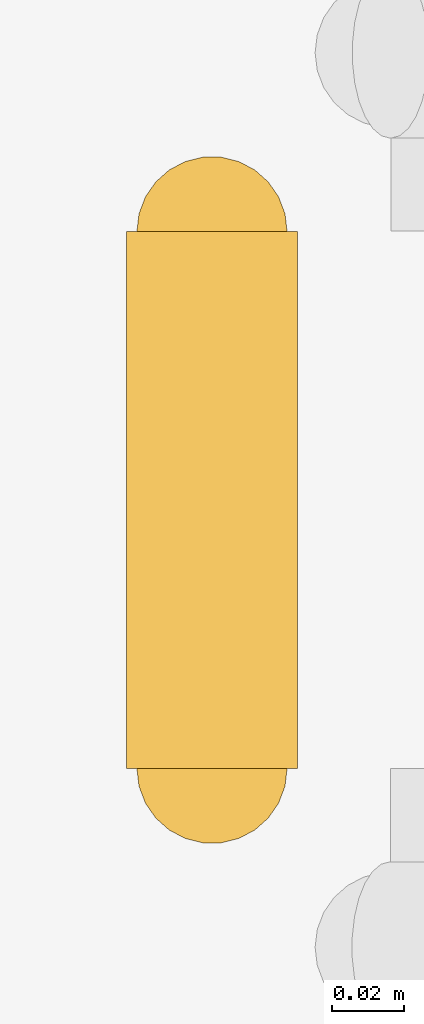
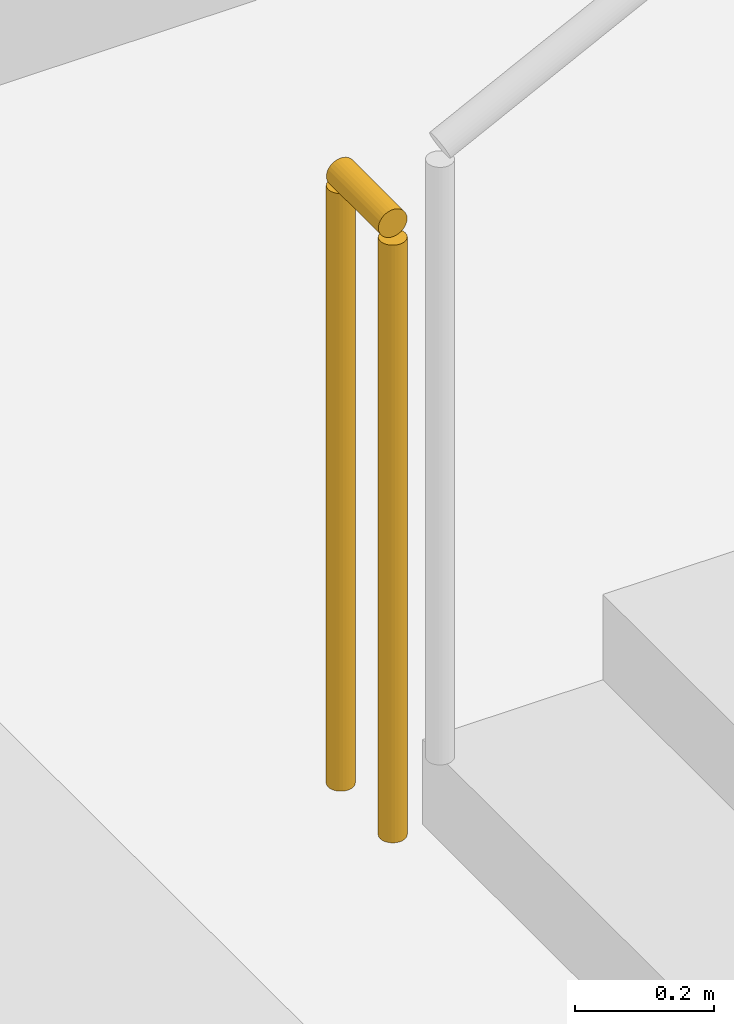
# One storey, part 46 of 54: 1 railing.
"""IFC4 building model written with IfcOpenShell, lengths in metres."""

from ifc_helpers import new_model, si_unit, direction, frame, origin, origin_2d, place, context, subcontext, project, spatial, circle, extrude, material, type_object, element, save


model = new_model("IFC4")

# Units and contexts
model_context = context("Model", 3, precision=1e-05, world=origin(), true_north=direction((0.0, 1.0)))
body_context = subcontext(model_context, "Body", "Model", "MODEL_VIEW")
ifc_project = project(units=[si_unit("LENGTHUNIT", "METRE"), si_unit("AREAUNIT", "SQUARE_METRE"), si_unit("VOLUMEUNIT", "CUBIC_METRE"), si_unit("PLANEANGLEUNIT", "RADIAN"), si_unit("MASSUNIT", "GRAM", prefix="KILO")], contexts=[model_context])

# Site, building, storey
site_placement = place(None, origin())
site = spatial("IfcSite", under=ifc_project, at=site_placement, CompositionType="ELEMENT")
building_placement = place(site_placement, origin())
building = spatial("IfcBuilding", under=site, at=building_placement, Name="Zevrakil Square Congress Hotel", CompositionType="ELEMENT")
storey_placement = place(building_placement, frame((0.0, 0.0, -8.39990234375)))
storey = spatial("IfcBuildingStorey", under=building, at=storey_placement, Name="B2", CompositionType="ELEMENT", Elevation=-8.39990234375)

# Railing
ifc_material = material(Name="Steel S355", Category="steel")
railing_type = type_object("IfcRailingType", Name="RLG-STAIR-GUARD-1100", PredefinedType="BALUSTRADE", material=ifc_material)
railing_placement = place(storey_placement, frame((57.35009765625, 41.0, 0.0)))
element("IfcRailing", 1, at=railing_placement, inside=storey, type_object=railing_type, Name="B2 ST04 stair guard 4", PredefinedType="BALUSTRADE", context=body_context, shape_type="SweptSolid", body=[
    extrude(circle(Radius=0.02392578125, at=origin_2d()), frame((0.0, 0.0, 1.076171875), z_axis=(0.0, 1.0, 0.0), x_axis=(-1.0, 0.0, 0.0)), (0.0, 0.0, 1.0), 0.14990234375),
    extrude(circle(Radius=0.02099609375, at=origin_2d()), origin(), (0.0, 0.0, 1.0), 1.052001953125),
    extrude(circle(Radius=0.02099609375, at=origin_2d()), frame((0.0, 0.14990234375, 0.0)), (0.0, 0.0, 1.0), 1.052001953125),
])

save(model, "model.ifc")
